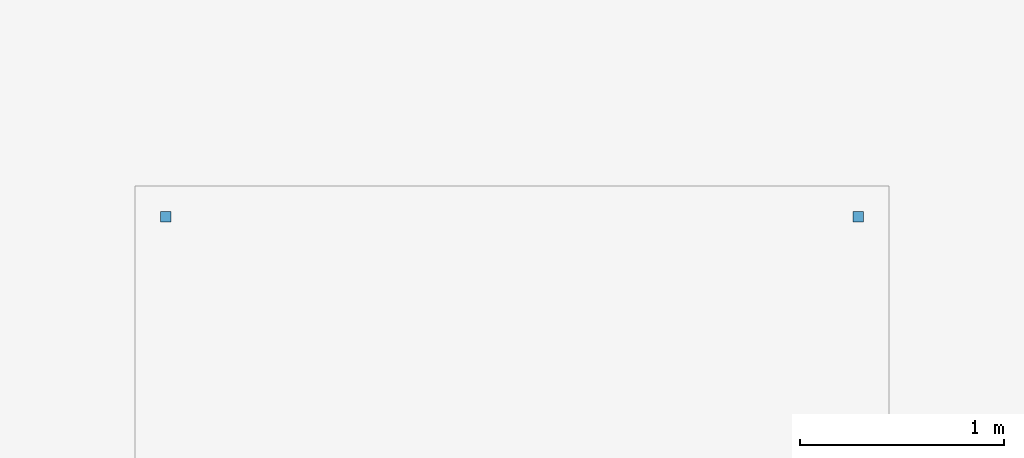
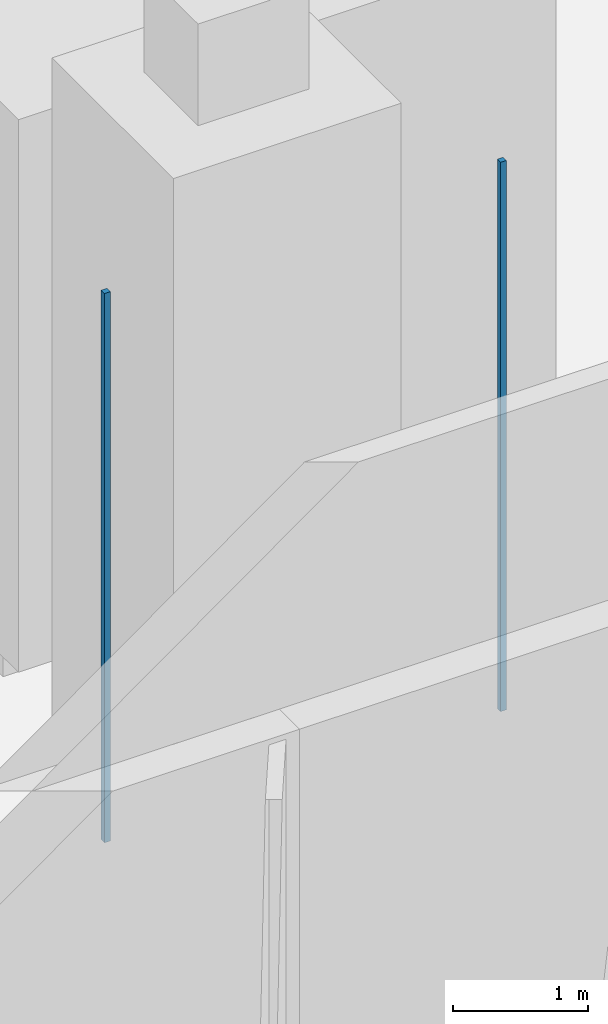
# One storey, part 16 of 26: 2 discrete accessories.
"""IFC4 building model written with IfcOpenShell, lengths in metres."""

from ifc_helpers import new_model, si_unit, direction, frame, origin, origin_2d, place, context, subcontext, project, spatial, rectangle, extrude, material, element, save


model = new_model("IFC4")

# Units and contexts
model_context = context("Model", 3, precision=1e-05, world=origin(), true_north=direction((0.0, 1.0)))
body_context = subcontext(model_context, "Body", "Model", "MODEL_VIEW")
ifc_project = project(units=[si_unit("LENGTHUNIT", "METRE"), si_unit("AREAUNIT", "SQUARE_METRE"), si_unit("VOLUMEUNIT", "CUBIC_METRE"), si_unit("PLANEANGLEUNIT", "RADIAN"), si_unit("MASSUNIT", "GRAM", prefix="KILO")], contexts=[model_context])

# Site, building, storey
site_placement = place(None, origin())
site = spatial("IfcSite", under=ifc_project, at=site_placement, CompositionType="ELEMENT")
building_placement = place(site_placement, origin())
building = spatial("IfcBuilding", under=site, at=building_placement, Name="Trine Commons Tower", CompositionType="ELEMENT")
storey_placement = place(building_placement, origin())
storey = spatial("IfcBuildingStorey", under=building, at=storey_placement, Name="L00", CompositionType="ELEMENT", Elevation=0.0)

# Discrete accessories
ifc_material = material(Name="Stainless steel rod", Category="steel")
for number, where, z_axis, x_axis, name in (
    (1, (89.43798828125, 80.134521484375, 3.6298828125), (0.0, 0.0, 1.0), (1.0, 0.0, 0.0), "Canopy hanger E1.1"),
    (2, (92.8291015625, 80.134521484375, 3.6298828125), (0.0, 0.0, 1.0), (1.0, 0.0, 0.0), "Canopy hanger E1.2"),
):
    element("IfcDiscreteAccessory", number, at=place(storey_placement, frame(where, z_axis=z_axis, x_axis=x_axis)), inside=storey, material=ifc_material, Name=name, PredefinedType="BRACKET", context=body_context, shape_type="SweptSolid", body=[
        extrude(rectangle(XDim=0.050048828125, YDim=0.050048828125, at=origin_2d()), origin(), (0.0, 0.0, 1.0), 4.969970703125),
    ])

save(model, "model.ifc")
